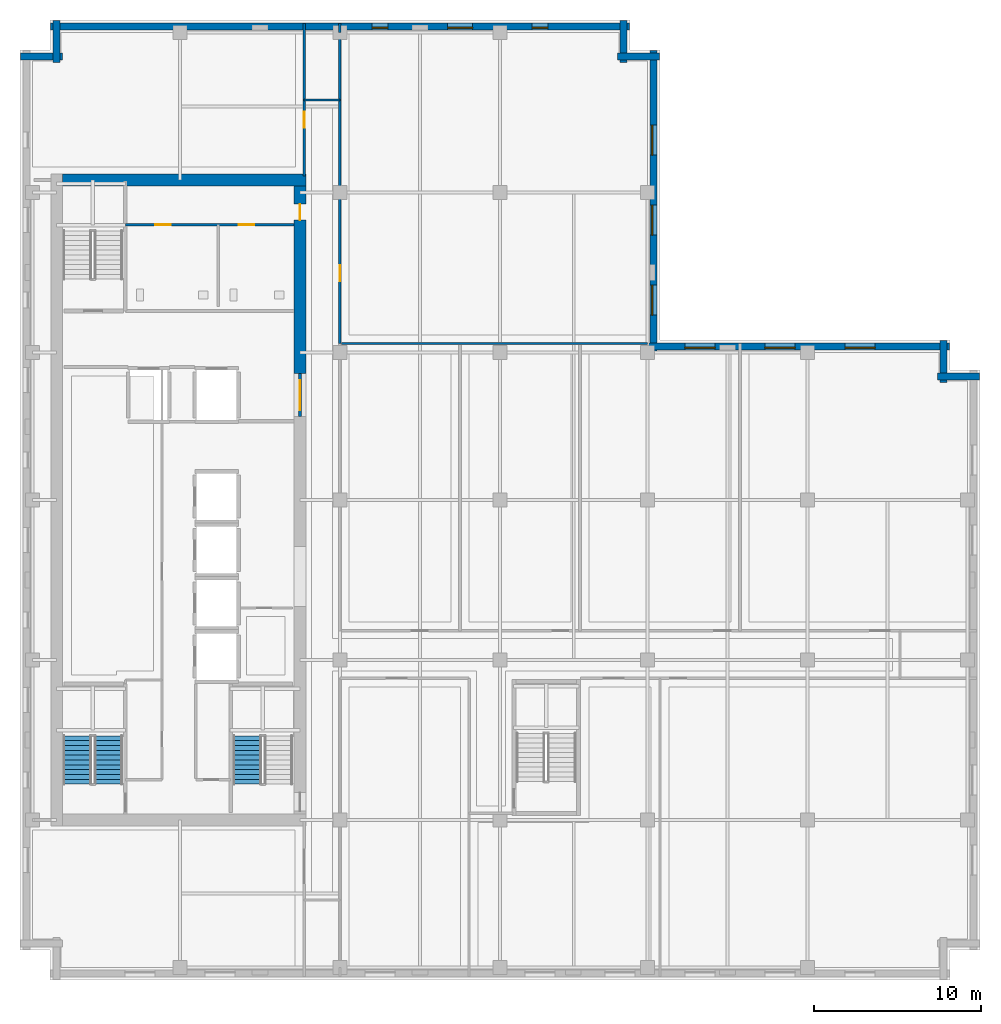
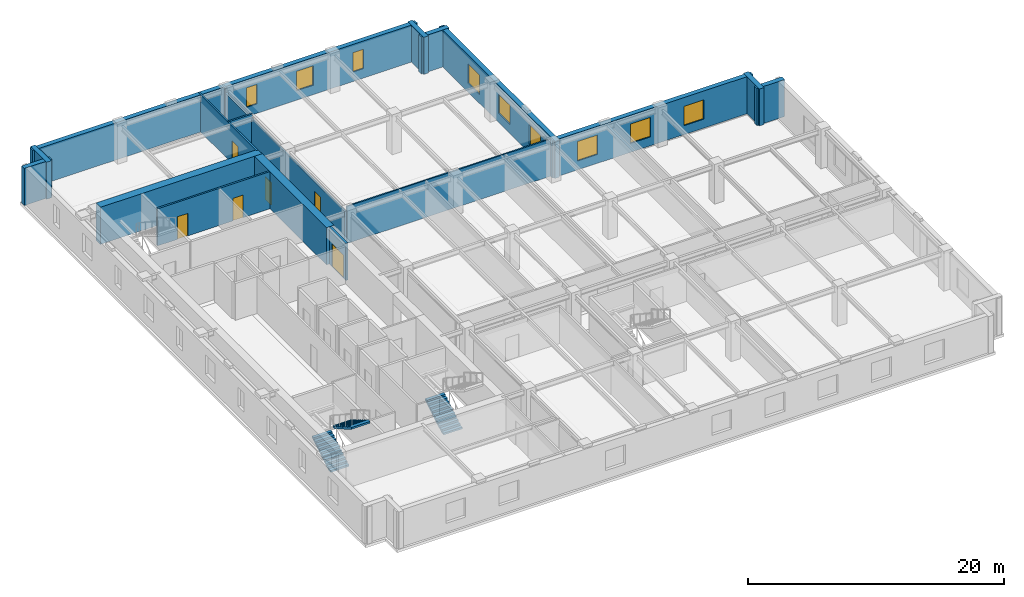
# One storey, part 6 of 11: 18 walls, 9 windows, 6 doors, 3 stair flights, 15 openings, 2 elements without a shape of their own.
"""IFC4 building model written with IfcOpenShell, lengths in metres."""

from ifc_helpers import new_model, si_unit, direction, frame, frame_2d, origin, place, context, subcontext, project, spatial, polyline, rectangle, outline, extrude, material, layer, layer_set, type_object, element, fill, aggregate, save


model = new_model("IFC4")

# Units and contexts
model_context = context("Model", 3, precision=1e-05, world=origin(), true_north=direction((0.0, 1.0)))
body_context = subcontext(model_context, "Body", "Model", "MODEL_VIEW")
ifc_project = project(units=[si_unit("LENGTHUNIT", "METRE"), si_unit("AREAUNIT", "SQUARE_METRE"), si_unit("VOLUMEUNIT", "CUBIC_METRE"), si_unit("PLANEANGLEUNIT", "RADIAN"), si_unit("MASSUNIT", "GRAM", prefix="KILO")], contexts=[model_context])

# Site, building, storey
site_placement = place(None, origin())
site = spatial("IfcSite", under=ifc_project, at=site_placement, CompositionType="ELEMENT")
building_placement = place(site_placement, origin())
building = spatial("IfcBuilding", under=site, at=building_placement, Name="Norrvale University Quadrangle", CompositionType="ELEMENT")
storey_placement = place(building_placement, frame((0.0, 0.0, 210.39990234375)))
storey = spatial("IfcBuildingStorey", under=building, at=storey_placement, Name="L53", CompositionType="ELEMENT", Elevation=210.39990234375)

# Walls
ifc_material_1 = material(Name="Buff Norman Clay Brick Masonry", Category="masonry")
ifc_layer_1 = layer(ifc_material_1, 0.419921875, Name="Buff Norman Clay Brick Masonry")
ifc_layer_set_1 = layer_set([ifc_layer_1], Name="Buff Norman Clay Brick Masonry")
wall_type_1 = type_object("IfcWallType", Name="Wall Buff Brick 420", PredefinedType="SOLIDWALL", material=ifc_layer_set_1)
for number, where, z_axis, x_axis, name in (
    (1, (57.56005859375, 36.2099609375, 0.0), (0.0, 0.0, 1.0), (-1.0, 0.0, 0.0), "Exterior Brick Facade Wall L53-05.1"),
    (2, (55.409912109375, 35.860107421875, 0.0), (0.0, 0.0, 1.0), (0.0, 1.0, 0.0), "Exterior Brick Facade Wall L53-06.1"),
):
    element("IfcWall", number, at=place(storey_placement, frame(where, z_axis=z_axis, x_axis=x_axis)), inside=storey, type_object=wall_type_1, Name=name, PredefinedType="SOLIDWALL", context=body_context, shape_type="SweptSolid", body=[
        extrude(rectangle(XDim=2.5, YDim=0.419921875, at=frame_2d((1.25, 0.0))), origin(), (0.0, 0.0, 1.0), 3.5400390625),
    ])

# Wall, openings, windows
wall_1_placement = place(storey_placement, frame((55.760009765625, 38.010009765625, 0.0), z_axis=(0.0, 0.0, 1.0), x_axis=(-1.0, 0.0, 0.0)))
wall_1 = element("IfcWall", 3, at=wall_1_placement, inside=storey, type_object=wall_type_1, Name="Exterior Brick Facade Wall L53-07.1", PredefinedType="SOLIDWALL", context=body_context, shape_type="SweptSolid", body=[
    extrude(rectangle(XDim=18.10009765625, YDim=0.419921875, at=frame_2d((9.050048828125, 0.0))), origin(), (0.0, 0.0, 1.0), 3.5400390625),
])
opening_1_placement = place(wall_1_placement, frame((4.4599609375, 0.0, 0.85009765625)))
opening_1 = element("IfcOpeningElement", 4, at=opening_1_placement, cuts=wall_1, Name="Opening W01", PredefinedType="OPENING", context=body_context, shape_type="SweptSolid", body=[
    extrude(rectangle(XDim=1.800048828125, YDim=1.85009765625, at=frame_2d((0.89990234375, 0.925048828125))), frame((0.0, 0.221923828125, 0.0), z_axis=(0.0, -1.0, 0.0), x_axis=(1.0, 0.0, 0.0)), (0.0, 0.0, 1.0), 0.44384765625),
])
opening_2_placement = place(wall_1_placement, frame((9.260009765625, 0.0, 0.85009765625)))
opening_2 = element("IfcOpeningElement", 5, at=opening_2_placement, cuts=wall_1, Name="Opening W01", PredefinedType="OPENING", context=body_context, shape_type="SweptSolid", body=[
    extrude(rectangle(XDim=1.800048828125, YDim=1.85009765625, at=frame_2d((0.89990234375, 0.925048828125))), frame((0.0, 0.221923828125, 0.0), z_axis=(0.0, -1.0, 0.0), x_axis=(1.0, 0.0, 0.0)), (0.0, 0.0, 1.0), 0.44384765625),
])
opening_3_placement = place(wall_1_placement, frame((14.06005859375, 0.0, 0.85009765625)))
opening_3 = element("IfcOpeningElement", 6, at=opening_3_placement, cuts=wall_1, Name="Opening W01", PredefinedType="OPENING", context=body_context, shape_type="SweptSolid", body=[
    extrude(rectangle(XDim=1.800048828125, YDim=1.85009765625, at=frame_2d((0.89990234375, 0.925048828125))), frame((0.0, 0.221923828125, 0.0), z_axis=(0.0, -1.0, 0.0), x_axis=(1.0, 0.0, 0.0)), (0.0, 0.0, 1.0), 0.44384765625),
])
ifc_material_2 = material(Name="Triple Low-E Argon Glazing", Category="glass")
window_type_1 = type_object("IfcWindowType", Name="Window Academic 1800x2300", PartitioningType="DOUBLE_PANEL_VERTICAL", PredefinedType="WINDOW", material=ifc_material_2)
window_1_placement = place(opening_1_placement, origin())
window_1 = element("IfcWindow", 7, at=window_1_placement, inside=storey, type_object=window_type_1, Name="Window Academic 1800x2300 WIN-L53-E07-1-01", OverallHeight=1.85009765625, OverallWidth=1.800048828125, PartitioningType="DOUBLE_PANEL_VERTICAL", PredefinedType="WINDOW", context=body_context, shape_type="SweptSolid", body=[
    extrude(rectangle(XDim=1.800048828125, YDim=1.85009765625, at=frame_2d((0.89990234375, 0.925048828125))), frame((0.0, 0.110107421875, 0.0), z_axis=(0.0, -1.0, 0.0), x_axis=(1.0, 0.0, 0.0)), (0.0, 0.0, 1.0), 0.06005859375),
])
fill(opening_1, window_1)
window_2_placement = place(opening_2_placement, origin())
window_2 = element("IfcWindow", 8, at=window_2_placement, inside=storey, type_object=window_type_1, Name="Window Academic 1800x2300 WIN-L53-E07-1-02", OverallHeight=1.85009765625, OverallWidth=1.800048828125, PartitioningType="DOUBLE_PANEL_VERTICAL", PredefinedType="WINDOW", context=body_context, shape_type="SweptSolid", body=[
    extrude(rectangle(XDim=1.800048828125, YDim=1.85009765625, at=frame_2d((0.89990234375, 0.925048828125))), frame((0.0, 0.110107421875, 0.0), z_axis=(0.0, -1.0, 0.0), x_axis=(1.0, 0.0, 0.0)), (0.0, 0.0, 1.0), 0.06005859375),
])
fill(opening_2, window_2)
window_3_placement = place(opening_3_placement, origin())
window_3 = element("IfcWindow", 9, at=window_3_placement, inside=storey, type_object=window_type_1, Name="Window Academic 1800x2300 WIN-L53-E07-1-03", OverallHeight=1.85009765625, OverallWidth=1.800048828125, PartitioningType="DOUBLE_PANEL_VERTICAL", PredefinedType="WINDOW", context=body_context, shape_type="SweptSolid", body=[
    extrude(rectangle(XDim=1.800048828125, YDim=1.85009765625, at=frame_2d((0.89990234375, 0.925048828125))), frame((0.0, 0.110107421875, 0.0), z_axis=(0.0, -1.0, 0.0), x_axis=(1.0, 0.0, 0.0)), (0.0, 0.0, 1.0), 0.06005859375),
])
fill(opening_3, window_3)

wall_2_placement = place(storey_placement, frame((38.010009765625, 37.659912109375, 0.0), z_axis=(0.0, 0.0, 1.0), x_axis=(0.0, 1.0, 0.0)))
wall_2 = element("IfcWall", 10, at=wall_2_placement, inside=storey, type_object=wall_type_1, Name="Exterior Brick Facade Wall L53-08.1", PredefinedType="SOLIDWALL", context=body_context, shape_type="SweptSolid", body=[
    extrude(rectangle(XDim=18.10009765625, YDim=0.419921875, at=frame_2d((9.050048828125, 0.0))), origin(), (0.0, 0.0, 1.0), 3.5400390625),
])
opening_4_placement = place(wall_2_placement, frame((2.239990234375, 0.0, 0.85009765625)))
opening_4 = element("IfcOpeningElement", 11, at=opening_4_placement, cuts=wall_2, Name="Opening W01", PredefinedType="OPENING", context=body_context, shape_type="SweptSolid", body=[
    extrude(rectangle(XDim=1.800048828125, YDim=1.85009765625, at=frame_2d((0.89990234375, 0.925048828125))), frame((0.0, 0.221923828125, 0.0), z_axis=(0.0, -1.0, 0.0), x_axis=(1.0, 0.0, 0.0)), (0.0, 0.0, 1.0), 0.44384765625),
])
opening_5_placement = place(wall_2_placement, frame((7.0400390625, 0.0, 0.85009765625)))
opening_5 = element("IfcOpeningElement", 12, at=opening_5_placement, cuts=wall_2, Name="Opening W01", PredefinedType="OPENING", context=body_context, shape_type="SweptSolid", body=[
    extrude(rectangle(XDim=1.800048828125, YDim=1.85009765625, at=frame_2d((0.89990234375, 0.925048828125))), frame((0.0, 0.221923828125, 0.0), z_axis=(0.0, -1.0, 0.0), x_axis=(1.0, 0.0, 0.0)), (0.0, 0.0, 1.0), 0.44384765625),
])
opening_6_placement = place(wall_2_placement, frame((11.840087890625, 0.0, 0.85009765625)))
opening_6 = element("IfcOpeningElement", 13, at=opening_6_placement, cuts=wall_2, Name="Opening W01", PredefinedType="OPENING", context=body_context, shape_type="SweptSolid", body=[
    extrude(rectangle(XDim=1.800048828125, YDim=1.85009765625, at=frame_2d((0.89990234375, 0.925048828125))), frame((0.0, 0.221923828125, 0.0), z_axis=(0.0, -1.0, 0.0), x_axis=(1.0, 0.0, 0.0)), (0.0, 0.0, 1.0), 0.44384765625),
])
window_4_placement = place(opening_4_placement, origin())
window_4 = element("IfcWindow", 14, at=window_4_placement, inside=storey, type_object=window_type_1, Name="Window Academic 1800x2300 WIN-L53-E08-1-01", OverallHeight=1.85009765625, OverallWidth=1.800048828125, PartitioningType="DOUBLE_PANEL_VERTICAL", PredefinedType="WINDOW", context=body_context, shape_type="SweptSolid", body=[
    extrude(rectangle(XDim=1.800048828125, YDim=1.85009765625, at=frame_2d((0.89990234375, 0.925048828125))), frame((0.0, 0.110107421875, 0.0), z_axis=(0.0, -1.0, 0.0), x_axis=(1.0, 0.0, 0.0)), (0.0, 0.0, 1.0), 0.06005859375),
])
fill(opening_4, window_4)
window_5_placement = place(opening_5_placement, origin())
window_5 = element("IfcWindow", 15, at=window_5_placement, inside=storey, type_object=window_type_1, Name="Window Academic 1800x2300 WIN-L53-E08-1-02", OverallHeight=1.85009765625, OverallWidth=1.800048828125, PartitioningType="DOUBLE_PANEL_VERTICAL", PredefinedType="WINDOW", context=body_context, shape_type="SweptSolid", body=[
    extrude(rectangle(XDim=1.800048828125, YDim=1.85009765625, at=frame_2d((0.89990234375, 0.925048828125))), frame((0.0, 0.110107421875, 0.0), z_axis=(0.0, -1.0, 0.0), x_axis=(1.0, 0.0, 0.0)), (0.0, 0.0, 1.0), 0.06005859375),
])
fill(opening_5, window_5)
window_6_placement = place(opening_6_placement, origin())
window_6 = element("IfcWindow", 16, at=window_6_placement, inside=storey, type_object=window_type_1, Name="Window Academic 1800x2300 WIN-L53-E08-1-03", OverallHeight=1.85009765625, OverallWidth=1.800048828125, PartitioningType="DOUBLE_PANEL_VERTICAL", PredefinedType="WINDOW", context=body_context, shape_type="SweptSolid", body=[
    extrude(rectangle(XDim=1.800048828125, YDim=1.85009765625, at=frame_2d((0.89990234375, 0.925048828125))), frame((0.0, 0.110107421875, 0.0), z_axis=(0.0, -1.0, 0.0), x_axis=(1.0, 0.0, 0.0)), (0.0, 0.0, 1.0), 0.06005859375),
])
fill(opening_6, window_6)

# Walls
for number, where, z_axis, x_axis, name in (
    (17, (38.360107421875, 55.409912109375, 0.0), (0.0, 0.0, 1.0), (-1.0, 0.0, 0.0), "Exterior Brick Facade Wall L53-09.1"),
    (18, (36.2099609375, 55.06005859375, 0.0), (0.0, 0.0, 1.0), (0.0, 1.0, 0.0), "Exterior Brick Facade Wall L53-10.1"),
):
    element("IfcWall", number, at=place(storey_placement, frame(where, z_axis=z_axis, x_axis=x_axis)), inside=storey, type_object=wall_type_1, Name=name, PredefinedType="SOLIDWALL", context=body_context, shape_type="SweptSolid", body=[
        extrude(rectangle(XDim=2.5, YDim=0.419921875, at=frame_2d((1.25, 0.0))), origin(), (0.0, 0.0, 1.0), 3.5400390625),
    ])

# Wall, openings, windows
wall_3_placement = place(storey_placement, frame((36.56005859375, 57.2099609375, 0.0), z_axis=(0.0, 0.0, 1.0), x_axis=(-1.0, 0.0, 0.0)))
wall_3 = element("IfcWall", 19, at=wall_3_placement, inside=storey, type_object=wall_type_1, Name="Exterior Brick Facade Wall L53-11.1", PredefinedType="SOLIDWALL", context=body_context, shape_type="SweptSolid", body=[
    extrude(rectangle(XDim=34.719970703125, YDim=0.419921875, at=frame_2d((17.35986328125, 0.0))), origin(), (0.0, 0.0, 1.0), 3.5400390625),
])
opening_7_placement = place(wall_3_placement, frame((4.885009765625, 0.0, 0.89990234375)))
opening_7 = element("IfcOpeningElement", 20, at=opening_7_placement, cuts=wall_3, Name="Opening W04", PredefinedType="OPENING", context=body_context, shape_type="SweptSolid", body=[
    extrude(rectangle(XDim=0.949951171875, YDim=1.85009765625, at=frame_2d((0.47509765625, 0.925048828125))), frame((0.0, 0.221923828125, 0.0), z_axis=(0.0, -1.0, 0.0), x_axis=(1.0, 0.0, 0.0)), (0.0, 0.0, 1.0), 0.44384765625),
])
opening_8_placement = place(wall_3_placement, frame((9.409912109375, 0.0, 0.89990234375)))
opening_8 = element("IfcOpeningElement", 21, at=opening_8_placement, cuts=wall_3, Name="Opening W03", PredefinedType="OPENING", context=body_context, shape_type="SweptSolid", body=[
    extrude(rectangle(XDim=1.5, YDim=1.85009765625, at=frame_2d((0.75, 0.925048828125))), frame((0.0, 0.221923828125, 0.0), z_axis=(0.0, -1.0, 0.0), x_axis=(1.0, 0.0, 0.0)), (0.0, 0.0, 1.0), 0.44384765625),
])
opening_9_placement = place(wall_3_placement, frame((14.485107421875, 0.0, 0.89990234375)))
opening_9 = element("IfcOpeningElement", 22, at=opening_9_placement, cuts=wall_3, Name="Opening W04", PredefinedType="OPENING", context=body_context, shape_type="SweptSolid", body=[
    extrude(rectangle(XDim=0.949951171875, YDim=1.85009765625, at=frame_2d((0.47509765625, 0.925048828125))), frame((0.0, 0.221923828125, 0.0), z_axis=(0.0, -1.0, 0.0), x_axis=(1.0, 0.0, 0.0)), (0.0, 0.0, 1.0), 0.44384765625),
])
window_type_2 = type_object("IfcWindowType", Name="Window Narrow Pier 950x2300", PartitioningType="SINGLE_PANEL", PredefinedType="WINDOW", material=ifc_material_2)
window_7_placement = place(opening_7_placement, origin())
window_7 = element("IfcWindow", 23, at=window_7_placement, inside=storey, type_object=window_type_2, Name="Window Narrow Pier 950x2300 WIN-L53-E11-1-01", OverallHeight=1.85009765625, OverallWidth=0.949951171875, PartitioningType="SINGLE_PANEL", PredefinedType="WINDOW", context=body_context, shape_type="SweptSolid", body=[
    extrude(rectangle(XDim=0.949951171875, YDim=1.85009765625, at=frame_2d((0.47509765625, 0.925048828125))), frame((0.0, 0.110107421875, 0.0), z_axis=(0.0, -1.0, 0.0), x_axis=(1.0, 0.0, 0.0)), (0.0, 0.0, 1.0), 0.06005859375),
])
fill(opening_7, window_7)
window_8_placement = place(opening_9_placement, origin())
window_8 = element("IfcWindow", 24, at=window_8_placement, inside=storey, type_object=window_type_2, Name="Window Narrow Pier 950x2300 WIN-L53-E11-1-03", OverallHeight=1.85009765625, OverallWidth=0.949951171875, PartitioningType="SINGLE_PANEL", PredefinedType="WINDOW", context=body_context, shape_type="SweptSolid", body=[
    extrude(rectangle(XDim=0.949951171875, YDim=1.85009765625, at=frame_2d((0.47509765625, 0.925048828125))), frame((0.0, 0.110107421875, 0.0), z_axis=(0.0, -1.0, 0.0), x_axis=(1.0, 0.0, 0.0)), (0.0, 0.0, 1.0), 0.06005859375),
])
fill(opening_9, window_8)
window_type_3 = type_object("IfcWindowType", Name="Window Studio 1500x2300", PartitioningType="DOUBLE_PANEL_VERTICAL", PredefinedType="WINDOW", material=ifc_material_2)
window_9_placement = place(opening_8_placement, origin())
window_9 = element("IfcWindow", 25, at=window_9_placement, inside=storey, type_object=window_type_3, Name="Window Studio 1500x2300 WIN-L53-E11-1-02", OverallHeight=1.85009765625, OverallWidth=1.5, PartitioningType="DOUBLE_PANEL_VERTICAL", PredefinedType="WINDOW", context=body_context, shape_type="SweptSolid", body=[
    extrude(rectangle(XDim=1.5, YDim=1.85009765625, at=frame_2d((0.75, 0.925048828125))), frame((0.0, 0.110107421875, 0.0), z_axis=(0.0, -1.0, 0.0), x_axis=(1.0, 0.0, 0.0)), (0.0, 0.0, 1.0), 0.06005859375),
])
fill(opening_8, window_9)

# Walls
for number, where, z_axis, x_axis, name in (
    (26, (2.18994140625, 57.56005859375, 0.0), (0.0, 0.0, 1.0), (0.0, -1.0, 0.0), "Exterior Brick Facade Wall L53-12.1"),
    (27, (2.5400390625, 55.409912109375, 0.0), (0.0, 0.0, 1.0), (-1.0, 0.0, 0.0), "Exterior Brick Facade Wall L53-13.1"),
):
    element("IfcWall", number, at=place(storey_placement, frame(where, z_axis=z_axis, x_axis=x_axis)), inside=storey, type_object=wall_type_1, Name=name, PredefinedType="SOLIDWALL", context=body_context, shape_type="SweptSolid", body=[
        extrude(rectangle(XDim=2.5, YDim=0.419921875, at=frame_2d((1.25, 0.0))), origin(), (0.0, 0.0, 1.0), 3.5400390625),
    ])
ifc_material_3 = material(Name="Concrete C60/75", Category="concrete")
ifc_layer_2 = layer(ifc_material_3, 0.699951171875, Name="Concrete C60/75")
ifc_layer_set_2 = layer_set([ifc_layer_2], Name="Concrete C60/75")
wall_type_2 = type_object("IfcWallType", Name="Wall Core 700", PredefinedType="SHEAR", material=ifc_layer_set_2)
wall_4_placement = place(storey_placement, frame((2.550048828125, 48.0, 0.0), z_axis=(0.0, 0.0, 1.0), x_axis=(1.0, 0.0, 0.0)))
element("IfcWall", 28, at=wall_4_placement, inside=storey, type_object=wall_type_2, Name="Tower Core Shear Wall L53-N", PredefinedType="SHEAR", context=body_context, shape_type="SweptSolid", body=[
    extrude(rectangle(XDim=14.599853515625, YDim=0.699951171875, at=frame_2d((7.2998046875, 0.0))), origin(), (0.0, 0.0, 1.0), 3.5400390625),
])

# Wall, opening, door
wall_5_placement = place(storey_placement, frame((16.800048828125, 36.39990234375, 0.0), z_axis=(0.0, 0.0, 1.0), x_axis=(0.0, 1.0, 0.0)))
wall_5 = element("IfcWall", 29, at=wall_5_placement, inside=storey, type_object=wall_type_2, Name="Tower Core Shear Wall L53-E3", PredefinedType="SHEAR", context=body_context, shape_type="SweptSolid", body=[
    extrude(rectangle(XDim=11.25, YDim=0.699951171875, at=frame_2d((5.625, 0.0))), origin(), (0.0, 0.0, 1.0), 3.5400390625),
])
opening_10_placement = place(wall_5_placement, frame((9.199951171875, 0.0, 0.0)))
opening_10 = element("IfcOpeningElement", 30, at=opening_10_placement, cuts=wall_5, Name="Opening D07", PredefinedType="OPENING", context=body_context, shape_type="SweptSolid", body=[
    extrude(rectangle(XDim=0.949951171875, YDim=2.14990234375, at=frame_2d((0.47509765625, 1.074951171875))), frame((0.0, 0.362060546875, 0.0), z_axis=(0.0, -1.0, 0.0), x_axis=(1.0, 0.0, 0.0)), (0.0, 0.0, 1.0), 0.723876953125),
])
ifc_material_4 = material(Name="Solid-Core Maple Door", Category="wood")
door_type_1 = type_object("IfcDoorType", Name="Door Office 950x2150", OperationType="NOTDEFINED", PredefinedType="DOOR", material=ifc_material_4)
door_1_placement = place(opening_10_placement, origin())
door_1 = element("IfcDoor", 31, at=door_1_placement, inside=storey, type_object=door_type_1, Name="Door Office 950x2150 DR-L53-NECORR", OperationType="SINGLE_SWING_RIGHT", OverallHeight=2.14990234375, OverallWidth=0.949951171875, PredefinedType="DOOR", context=body_context, shape_type="SweptSolid", body=[
    extrude(rectangle(XDim=0.949951171875, YDim=2.14990234375, at=frame_2d((0.47509765625, 1.074951171875))), frame((0.0, 0.02490234375, 0.0), z_axis=(0.0, -1.0, 0.0), x_axis=(1.0, 0.0, 0.0)), (0.0, 0.0, 1.0), 0.050048828125),
])
fill(opening_10, door_1)

# Walls
ifc_material_5 = material(Name="Standard Academic Gypsum Partition")
ifc_layer_3 = layer(ifc_material_5, 0.125, Name="Standard Academic Gypsum Partition")
ifc_layer_set_3 = layer_set([ifc_layer_3], Name="Standard Academic Gypsum Partition")
wall_type_3 = type_object("IfcWallType", Name="Wall Gypsum Academic 125", PredefinedType="PARTITIONING", material=ifc_layer_set_3)
wall_6_placement = place(storey_placement, frame((19.280029296875, 38.179931640625, 0.0), z_axis=(0.0, 0.0, 1.0), x_axis=(1.0, 0.0, 0.0)))
element("IfcWall", 32, at=wall_6_placement, inside=storey, type_object=wall_type_3, Name="Interior Partition WL-L53-ME-N", PredefinedType="PARTITIONING", context=body_context, shape_type="SweptSolid", body=[
    extrude(rectangle(XDim=18.369873046875, YDim=0.125, at=frame_2d((9.18505859375, 0.0))), origin(), (0.0, 0.0, 1.0), 3.5400390625),
])
ifc_material_6 = material(Name="Fire-Rated Gypsum Stud Partition")
ifc_layer_4 = layer(ifc_material_6, 0.14990234375, Name="Fire-Rated Gypsum Stud Partition")
ifc_layer_set_4 = layer_set([ifc_layer_4], Name="Fire-Rated Gypsum Stud Partition")
wall_type_4 = type_object("IfcWallType", Name="Wall Gypsum Corridor 150", PredefinedType="PARTITIONING", material=ifc_layer_set_4)
wall_7_placement = place(storey_placement, frame((17.050048828125, 52.800048828125, 0.0), z_axis=(0.0, 0.0, 1.0), x_axis=(1.0, 0.0, 0.0)))
element("IfcWall", 33, at=wall_7_placement, inside=storey, type_object=wall_type_4, Name="Interior Partition WL-L53-CSP-N", PredefinedType="PARTITIONING", context=body_context, shape_type="SweptSolid", body=[
    extrude(rectangle(XDim=2.14990234375, YDim=0.14990234375, at=frame_2d((1.074951171875, 0.0))), origin(), (0.0, 0.0, 1.0), 3.5400390625),
])

# Wall, opening, door
wall_8_placement = place(storey_placement, frame((19.199951171875, 38.179931640625, 0.0), z_axis=(0.0, 0.0, 1.0), x_axis=(0.0, 1.0, 0.0)))
wall_8 = element("IfcWall", 34, at=wall_8_placement, inside=storey, type_object=wall_type_4, Name="Interior Partition WL-L53-NECW", PredefinedType="PARTITIONING", context=body_context, shape_type="SweptSolid", body=[
    extrude(rectangle(XDim=18.670166015625, YDim=0.14990234375, at=frame_2d((9.3349609375, 0.0))), origin(), (0.0, 0.0, 1.0), 3.071044921875),
])
opening_11_placement = place(wall_8_placement, frame((3.75, 0.0, 0.0)))
opening_11 = element("IfcOpeningElement", 35, at=opening_11_placement, cuts=wall_8, Name="Opening D07", PredefinedType="OPENING", context=body_context, shape_type="SweptSolid", body=[
    extrude(rectangle(XDim=0.949951171875, YDim=2.14990234375, at=frame_2d((0.47509765625, 1.074951171875))), frame((0.0, 0.0869140625, 0.0), z_axis=(0.0, -1.0, 0.0), x_axis=(1.0, 0.0, 0.0)), (0.0, 0.0, 1.0), 0.173828125),
])
door_2_placement = place(opening_11_placement, origin())
door_2 = element("IfcDoor", 36, at=door_2_placement, inside=storey, type_object=door_type_1, Name="Door Office 950x2150 DR-L53-NE01", OperationType="SINGLE_SWING_RIGHT", OverallHeight=2.14990234375, OverallWidth=0.949951171875, PredefinedType="DOOR", context=body_context, shape_type="SweptSolid", body=[
    extrude(rectangle(XDim=0.949951171875, YDim=2.14990234375, at=frame_2d((0.47509765625, 1.074951171875))), frame((0.0, 0.02490234375, 0.0), z_axis=(0.0, -1.0, 0.0), x_axis=(1.0, 0.0, 0.0)), (0.0, 0.0, 1.0), 0.050048828125),
])
fill(opening_11, door_2)

# Wall
wall_9_placement = place(storey_placement, frame((19.199951171875, 56.85009765625, 0.0), z_axis=(0.0, 0.0, 1.0), x_axis=(0.0, 1.0, 0.0)))
element("IfcWall", 37, at=wall_9_placement, inside=storey, type_object=wall_type_4, Name="Interior Partition WL-L53-NECW-B2", PredefinedType="PARTITIONING", context=body_context, shape_type="SweptSolid", body=[
    extrude(rectangle(XDim=0.52978515625, YDim=0.14990234375, at=frame_2d((0.264892578125, 0.0))), origin(), (0.0, 0.0, 1.0), 3.5400390625),
])

# Wall, opening, door
wall_10_placement = place(storey_placement, frame((17.050048828125, 48.25, 0.0), z_axis=(0.0, 0.0, 1.0), x_axis=(0.0, 1.0, 0.0)))
wall_10 = element("IfcWall", 38, at=wall_10_placement, inside=storey, type_object=wall_type_4, Name="Interior Partition WL-L53-NWCW", PredefinedType="PARTITIONING", context=body_context, shape_type="SweptSolid", body=[
    extrude(rectangle(XDim=9.1298828125, YDim=0.14990234375, at=frame_2d((4.56494140625, 0.0))), origin(), (0.0, 0.0, 1.0), 3.5400390625),
])
opening_12_placement = place(wall_10_placement, frame((2.89990234375, 0.0, 0.0)))
opening_12 = element("IfcOpeningElement", 39, at=opening_12_placement, cuts=wall_10, Name="Opening D07", PredefinedType="OPENING", context=body_context, shape_type="SweptSolid", body=[
    extrude(rectangle(XDim=0.949951171875, YDim=2.14990234375, at=frame_2d((0.47509765625, 1.074951171875))), frame((0.0, 0.0869140625, 0.0), z_axis=(0.0, -1.0, 0.0), x_axis=(1.0, 0.0, 0.0)), (0.0, 0.0, 1.0), 0.173828125),
])
door_3_placement = place(opening_12_placement, origin())
door_3 = element("IfcDoor", 40, at=door_3_placement, inside=storey, type_object=door_type_1, Name="Door Office 950x2150 DR-L53-NW01", OperationType="SINGLE_SWING_RIGHT", OverallHeight=2.14990234375, OverallWidth=0.949951171875, PredefinedType="DOOR", context=body_context, shape_type="SweptSolid", body=[
    extrude(rectangle(XDim=0.949951171875, YDim=2.14990234375, at=frame_2d((0.47509765625, 1.074951171875))), frame((0.0, 0.02490234375, 0.0), z_axis=(0.0, -1.0, 0.0), x_axis=(1.0, 0.0, 0.0)), (0.0, 0.0, 1.0), 0.050048828125),
])
fill(opening_12, door_3)

# Wall, openings, doors
ifc_material_7 = material(Name="Sanitary Chase Gypsum Partition")
ifc_layer_5 = layer(ifc_material_7, 0.1650390625, Name="Sanitary Chase Gypsum Partition")
ifc_layer_set_5 = layer_set([ifc_layer_5], Name="Sanitary Chase Gypsum Partition")
wall_type_5 = type_object("IfcWallType", Name="Wall Gypsum Sanitary 165", PredefinedType="PLUMBINGWALL", material=ifc_layer_set_5)
wall_11_placement = place(storey_placement, frame((6.320068359375, 45.320068359375, 0.0), z_axis=(0.0, 0.0, 1.0), x_axis=(1.0, 0.0, 0.0)))
wall_11 = element("IfcWall", 41, at=wall_11_placement, inside=storey, type_object=wall_type_5, Name="Interior Partition WL-L53-WCN", PredefinedType="PLUMBINGWALL", context=body_context, shape_type="SweptSolid", body=[
    extrude(rectangle(XDim=10.1298828125, YDim=0.1650390625, at=frame_2d((5.06494140625, 0.0))), origin(), (0.0, 0.0, 1.0), 3.5400390625),
])
opening_13_placement = place(wall_11_placement, frame((1.800048828125, 0.0, 0.0)))
opening_13 = element("IfcOpeningElement", 42, at=opening_13_placement, cuts=wall_11, Name="Opening D08", PredefinedType="OPENING", context=body_context, shape_type="SweptSolid", body=[
    extrude(rectangle(XDim=0.919921875, YDim=2.14990234375, at=frame_2d((0.4599609375, 1.074951171875))), frame((0.0, 0.094482421875, 0.0), z_axis=(0.0, -1.0, 0.0), x_axis=(1.0, 0.0, 0.0)), (0.0, 0.0, 1.0), 0.18896484375),
])
opening_14_placement = place(wall_11_placement, frame((6.800048828125, 0.0, 0.0)))
opening_14 = element("IfcOpeningElement", 43, at=opening_14_placement, cuts=wall_11, Name="Opening D08", PredefinedType="OPENING", context=body_context, shape_type="SweptSolid", body=[
    extrude(rectangle(XDim=0.919921875, YDim=2.14990234375, at=frame_2d((0.4599609375, 1.074951171875))), frame((0.0, 0.094482421875, 0.0), z_axis=(0.0, -1.0, 0.0), x_axis=(1.0, 0.0, 0.0)), (0.0, 0.0, 1.0), 0.18896484375),
])
ifc_material_8 = material(Name="Laminate Washroom Door", Category="wood")
door_type_2 = type_object("IfcDoorType", Name="Door Washroom 920x2150", OperationType="NOTDEFINED", PredefinedType="DOOR", material=ifc_material_8)
door_4_placement = place(opening_13_placement, origin())
door_4 = element("IfcDoor", 44, at=door_4_placement, inside=storey, type_object=door_type_2, Name="Door Washroom 920x2150 DR-L53-WC1", OperationType="SINGLE_SWING_LEFT", OverallHeight=2.14990234375, OverallWidth=0.919921875, PredefinedType="DOOR", context=body_context, shape_type="SweptSolid", body=[
    extrude(rectangle(XDim=0.919921875, YDim=2.14990234375, at=frame_2d((0.4599609375, 1.074951171875))), frame((0.0, 0.02490234375, 0.0), z_axis=(0.0, -1.0, 0.0), x_axis=(1.0, 0.0, 0.0)), (0.0, 0.0, 1.0), 0.050048828125),
])
fill(opening_13, door_4)
door_5_placement = place(opening_14_placement, origin())
door_5 = element("IfcDoor", 45, at=door_5_placement, inside=storey, type_object=door_type_2, Name="Door Washroom 920x2150 DR-L53-WC2", OperationType="SINGLE_SWING_RIGHT", OverallHeight=2.14990234375, OverallWidth=0.919921875, PredefinedType="DOOR", context=body_context, shape_type="SweptSolid", body=[
    extrude(rectangle(XDim=0.919921875, YDim=2.14990234375, at=frame_2d((0.4599609375, 1.074951171875))), frame((0.0, 0.02490234375, 0.0), z_axis=(0.0, -1.0, 0.0), x_axis=(1.0, 0.0, 0.0)), (0.0, 0.0, 1.0), 0.050048828125),
])
fill(opening_14, door_5)

# Wall, opening, door
ifc_material_9 = material(Name="Concrete Blockwork 20 MPa Rated Wall", Category="masonry")
ifc_layer_6 = layer(ifc_material_9, 0.199951171875, Name="Concrete Blockwork 20 MPa Rated Wall")
ifc_layer_set_6 = layer_set([ifc_layer_6], Name="Concrete Blockwork 20 MPa Rated Wall")
wall_type_6 = type_object("IfcWallType", Name="Wall Lobby 200", PredefinedType="SOLIDWALL", material=ifc_layer_set_6)
wall_12_placement = place(storey_placement, frame((16.800048828125, 33.800048828125, 0.0), z_axis=(0.0, 0.0, 1.0), x_axis=(0.0, 1.0, 0.0)))
wall_12 = element("IfcWall", 46, at=wall_12_placement, inside=storey, type_object=wall_type_6, Name="Interior Partition WL-L53-FFP", PredefinedType="SOLIDWALL", context=body_context, shape_type="SweptSolid", body=[
    extrude(rectangle(XDim=2.599853515625, YDim=0.199951171875, at=frame_2d((1.2998046875, 0.0))), origin(), (0.0, 0.0, 1.0), 3.5400390625),
])
opening_15_placement = place(wall_12_placement, frame((0.39990234375, 0.0, 0.0)))
opening_15 = element("IfcOpeningElement", 47, at=opening_15_placement, cuts=wall_12, Name="Opening D03", PredefinedType="OPENING", context=body_context, shape_type="SweptSolid", body=[
    extrude(rectangle(XDim=1.800048828125, YDim=2.199951171875, at=frame_2d((0.89990234375, 1.10009765625))), frame((0.0, 0.112060546875, 0.0), z_axis=(0.0, -1.0, 0.0), x_axis=(1.0, 0.0, 0.0)), (0.0, 0.0, 1.0), 0.223876953125),
])
ifc_material_10 = material(Name="Hollow Steel 350W Fire Door", Category="steel")
door_type_3 = type_object("IfcDoorType", Name="Door Fire Lobby 1800x2200", OperationType="DOUBLE_DOOR_SINGLE_SWING", PredefinedType="DOOR", material=ifc_material_10)
door_6_placement = place(opening_15_placement, origin())
door_6 = element("IfcDoor", 48, at=door_6_placement, inside=storey, type_object=door_type_3, Name="Door Fire Lobby 1800x2200 DR-L53-FFP", OperationType="DOUBLE_DOOR_SINGLE_SWING", OverallHeight=2.199951171875, OverallWidth=1.800048828125, PredefinedType="DOOR", context=body_context, shape_type="SweptSolid", body=[
    extrude(rectangle(XDim=1.800048828125, YDim=2.199951171875, at=frame_2d((0.89990234375, 1.10009765625))), frame((0.0, 0.02490234375, 0.0), z_axis=(0.0, -1.0, 0.0), x_axis=(1.0, 0.0, 0.0)), (0.0, 0.0, 1.0), 0.050048828125),
])
fill(opening_15, door_6)

# Stair, stair flights
ifc_material_11 = material(Name="Concrete C40/50", Category="concrete")
stair_type = type_object("IfcStairType", Name="Stair Tower Typ 3800", PredefinedType="TWO_STRAIGHT_RUN_STAIR", material=ifc_material_11)
stair_1_placement = place(storey_placement, origin())
stair_1 = element("IfcStair", 49, at=stair_1_placement, inside=storey, type_object=stair_type, Name="Exit Stair ST-01 L53", PredefinedType="TWO_STRAIGHT_RUN_STAIR")
stair_flight_type = type_object("IfcStairFlightType", Name="Flight Typ 1500", PredefinedType="STRAIGHT", material=ifc_material_11)
stair_flight_1_placement = place(storey_placement, frame((3.429931640625, 11.75, 0.0), z_axis=(0.0, 0.0, 1.0), x_axis=(0.0, 1.0, 0.0)))
stair_flight_1 = element("IfcStairFlight", 50, at=stair_flight_1_placement, type_object=stair_flight_type, Name="Exit Stair ST-01 L53 Lower Flight", NumberOfRisers=11, NumberOfTreads=10, PredefinedType="STRAIGHT", RiserHeight=0.172727, TreadLength=0.29, context=body_context, shape_type="SweptSolid", body=[
    extrude(outline(polyline([(0.0, 0.0), (0.0, 0.172607421875), (0.2900390625, 0.172607421875), (0.2900390625, 0.345458984375), (0.580078125, 0.345458984375), (0.580078125, 0.51806640625), (0.8701171875, 0.51806640625), (0.8701171875, 0.69091796875), (1.159912109375, 0.69091796875), (1.159912109375, 0.863525390625), (1.449951171875, 0.863525390625), (1.449951171875, 1.036376953125), (1.739990234375, 1.036376953125), (1.739990234375, 1.208984375), (2.030029296875, 1.208984375), (2.030029296875, 1.3818359375), (2.320068359375, 1.3818359375), (2.320068359375, 1.554443359375), (2.610107421875, 1.554443359375), (2.610107421875, 1.727294921875), (2.89990234375, 1.727294921875), (2.89990234375, 1.89990234375), (2.89990234375, 1.552734375), (0.29296875, 0.0), (0.0, 0.0)])), frame((0.0, 0.83984375, 0.0), z_axis=(0.0, -1.0, 0.0), x_axis=(1.0, 0.0, 0.0)), (0.0, 0.0, 1.0), 1.679931640625),
])
stair_flight_2_placement = place(storey_placement, frame((5.320068359375, 14.64990234375, 1.900146484375), z_axis=(0.0, 0.0, 1.0), x_axis=(0.0, -1.0, 0.0)))
stair_flight_2 = element("IfcStairFlight", 51, at=stair_flight_2_placement, type_object=stair_flight_type, Name="Exit Stair ST-01 L53 Upper Flight", NumberOfRisers=11, NumberOfTreads=10, PredefinedType="STRAIGHT", RiserHeight=0.172727, TreadLength=0.29, context=body_context, shape_type="SweptSolid", body=[
    extrude(outline(polyline([(0.0, 0.0), (0.0, 0.172607421875), (0.2900390625, 0.172607421875), (0.2900390625, 0.345458984375), (0.580078125, 0.345458984375), (0.580078125, 0.51806640625), (0.8701171875, 0.51806640625), (0.8701171875, 0.69091796875), (1.159912109375, 0.69091796875), (1.159912109375, 0.863525390625), (1.449951171875, 0.863525390625), (1.449951171875, 1.036376953125), (1.739990234375, 1.036376953125), (1.739990234375, 1.208984375), (2.030029296875, 1.208984375), (2.030029296875, 1.3818359375), (2.320068359375, 1.3818359375), (2.320068359375, 1.554443359375), (2.610107421875, 1.554443359375), (2.610107421875, 1.727294921875), (2.89990234375, 1.727294921875), (2.89990234375, 1.89990234375), (2.89990234375, 1.552734375), (0.29296875, 0.0), (0.0, 0.0)])), frame((0.0, 0.83984375, 0.0), z_axis=(0.0, -1.0, 0.0), x_axis=(1.0, 0.0, 0.0)), (0.0, 0.0, 1.0), 1.679931640625),
])
aggregate(stair_1, [stair_flight_1, stair_flight_2])

# Stair, stair flight
stair_2_placement = place(storey_placement, origin())
stair_2 = element("IfcStair", 52, at=stair_2_placement, inside=storey, type_object=stair_type, Name="Exit Stair ST-03 L53", PredefinedType="TWO_STRAIGHT_RUN_STAIR")
stair_flight_3_placement = place(storey_placement, frame((13.6298828125, 11.75, 0.0), z_axis=(0.0, 0.0, 1.0), x_axis=(0.0, 1.0, 0.0)))
stair_flight_3 = element("IfcStairFlight", 53, at=stair_flight_3_placement, type_object=stair_flight_type, Name="Exit Stair ST-03 L53 Lower Flight", NumberOfRisers=11, NumberOfTreads=10, PredefinedType="STRAIGHT", RiserHeight=0.172727, TreadLength=0.29, context=body_context, shape_type="SweptSolid", body=[
    extrude(outline(polyline([(0.0, 0.0), (0.0, 0.172607421875), (0.2900390625, 0.172607421875), (0.2900390625, 0.345458984375), (0.580078125, 0.345458984375), (0.580078125, 0.51806640625), (0.8701171875, 0.51806640625), (0.8701171875, 0.69091796875), (1.159912109375, 0.69091796875), (1.159912109375, 0.863525390625), (1.449951171875, 0.863525390625), (1.449951171875, 1.036376953125), (1.739990234375, 1.036376953125), (1.739990234375, 1.208984375), (2.030029296875, 1.208984375), (2.030029296875, 1.3818359375), (2.320068359375, 1.3818359375), (2.320068359375, 1.554443359375), (2.610107421875, 1.554443359375), (2.610107421875, 1.727294921875), (2.89990234375, 1.727294921875), (2.89990234375, 1.89990234375), (2.89990234375, 1.552734375), (0.29296875, 0.0), (0.0, 0.0)])), frame((0.0, 0.83984375, 0.0), z_axis=(0.0, -1.0, 0.0), x_axis=(1.0, 0.0, 0.0)), (0.0, 0.0, 1.0), 1.679931640625),
])
aggregate(stair_2, [stair_flight_3])

save(model, "model.ifc")
